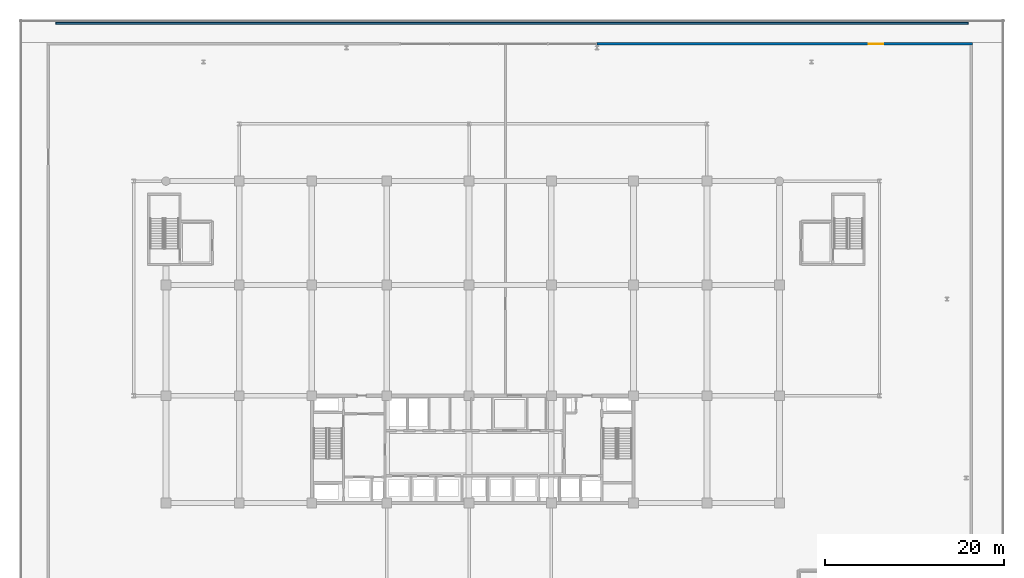
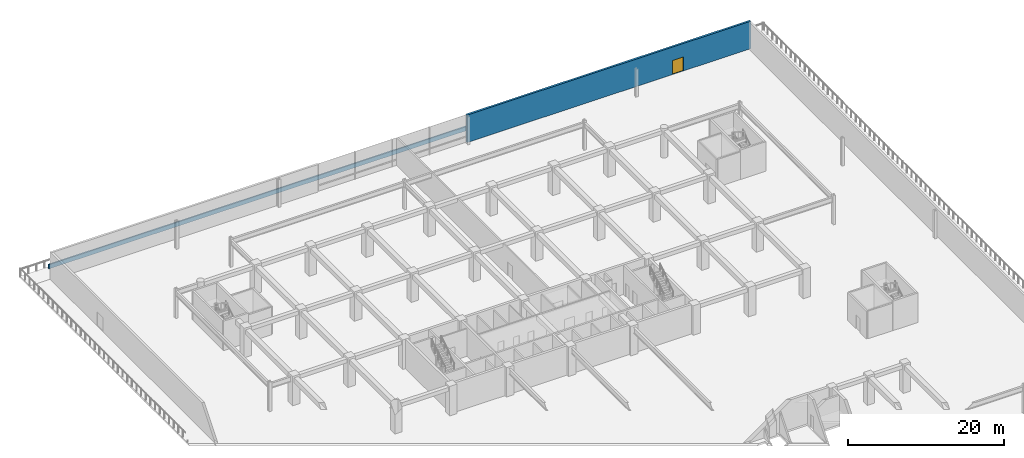
# One storey, part 29 of 45: 2 walls, 1 door, 1 opening.
"""IFC4 building model written with IfcOpenShell, lengths in metres."""

from ifc_helpers import new_model, si_unit, direction, frame, frame_2d, origin, place, context, subcontext, project, spatial, rectangle, extrude, material, layer, layer_set, type_object, element, fill, save


model = new_model("IFC4")

# Units and contexts
model_context = context("Model", 3, precision=1e-05, world=origin(), true_north=direction((0.0, 1.0)))
body_context = subcontext(model_context, "Body", "Model", "MODEL_VIEW")
ifc_project = project(units=[si_unit("LENGTHUNIT", "METRE"), si_unit("AREAUNIT", "SQUARE_METRE"), si_unit("VOLUMEUNIT", "CUBIC_METRE"), si_unit("PLANEANGLEUNIT", "RADIAN"), si_unit("MASSUNIT", "GRAM", prefix="KILO")], contexts=[model_context])

# Site, building, storey
site_placement = place(None, origin())
site = spatial("IfcSite", under=ifc_project, at=site_placement, CompositionType="ELEMENT")
building_placement = place(site_placement, origin())
building = spatial("IfcBuilding", under=site, at=building_placement, Name="Korimba Cascade Residences", CompositionType="ELEMENT")
storey_placement = place(building_placement, frame((0.0, 0.0, 5.39990234375)))
storey = spatial("IfcBuildingStorey", under=building, at=storey_placement, Name="L01", CompositionType="ELEMENT", Elevation=5.39990234375)

# Wall
ifc_material_1 = material(Name="Precast concrete C40/50", Category="concrete")
ifc_layer_1 = layer(ifc_material_1, 0.199951171875)
ifc_layer_set_1 = layer_set([ifc_layer_1], Name="Precast concrete C40/50")
wall_type_1 = type_object("IfcWallType", Name="EW-PLANTER-200", PredefinedType="PARAPET", material=ifc_layer_set_1)
wall_1_placement = place(storey_placement, frame((149.5, 108.85009765625, 0.0), z_axis=(0.0, 0.0, 1.0), x_axis=(-1.0, 0.0, 0.0)))
element("IfcWall", 1, at=wall_1_placement, inside=storey, type_object=wall_type_1, Name="L01 Cascading Terrace Stone PLANTER Box N", PredefinedType="PARAPET", context=body_context, shape_type="SweptSolid", body=[
    extrude(rectangle(XDim=102.0, YDim=0.199951171875, at=frame_2d((51.0, 0.0))), origin(), (0.0, 0.0, 1.0), 0.650146484375),
])

# Wall, opening, door
ifc_layer_2 = layer(ifc_material_1, 0.300048828125)
ifc_layer_set_2 = layer_set([ifc_layer_2], Name="Precast concrete C40/50")
wall_type_2 = type_object("IfcWallType", Name="EW-STONE-300", PredefinedType="STANDARD", material=ifc_layer_set_2)
wall_2_placement = place(storey_placement, frame((150.0, 106.550048828125, 0.0), z_axis=(0.0, 0.0, 1.0), x_axis=(-1.0, 0.0, 0.0)))
wall_2 = element("IfcWall", 2, at=wall_2_placement, inside=storey, type_object=wall_type_2, Name="L01 North-East Podium Wall", PredefinedType="STANDARD", context=body_context, shape_type="SweptSolid", body=[
    extrude(rectangle(XDim=42.0, YDim=0.300048828125, at=frame_2d((21.0, 0.0))), origin(), (0.0, 0.0, 1.0), 4.300048828125),
])
opening_placement = place(wall_2_placement, frame((10.0, 0.0, 0.0)))
opening = element("IfcOpeningElement", 3, at=opening_placement, cuts=wall_2, Name="Opening D-TR1", PredefinedType="OPENING", context=body_context, shape_type="SweptSolid", body=[
    extrude(rectangle(XDim=1.60009765625, YDim=2.199951171875, at=frame_2d((0.800048828125, 1.10009765625))), frame((0.0, 0.16015625, 0.0), z_axis=(0.0, -1.0, 0.0), x_axis=(1.0, 0.0, 0.0)), (0.0, 0.0, 1.0), 0.320068359375),
])
ifc_material_2 = material(Name="Glazed Aluminium Terrace Door", Category="aluminium")
door_type = type_object("IfcDoorType", Name="DR-EXT-TER", OperationType="NOTDEFINED", PredefinedType="DOOR", material=ifc_material_2)
door_placement = place(opening_placement, frame((1.60009765625, 0.0, 0.0), z_axis=(0.0, 0.0, 1.0), x_axis=(-1.0, 0.0, 0.0)))
door = element("IfcDoor", 4, at=door_placement, inside=storey, type_object=door_type, Name="L01 North Terrace Access Door", OperationType="DOUBLE_DOOR_SINGLE_SWING", OverallHeight=2.199951171875, OverallWidth=1.60009765625, PredefinedType="DOOR", context=body_context, shape_type="SweptSolid", body=[
    extrude(rectangle(XDim=1.60009765625, YDim=2.199951171875, at=frame_2d((0.800048828125, 1.10009765625))), frame((0.0, 0.02490234375, 0.0), z_axis=(0.0, -1.0, 0.0), x_axis=(1.0, 0.0, 0.0)), (0.0, 0.0, 1.0), 0.050048828125),
])
fill(opening, door)

save(model, "model.ifc")
